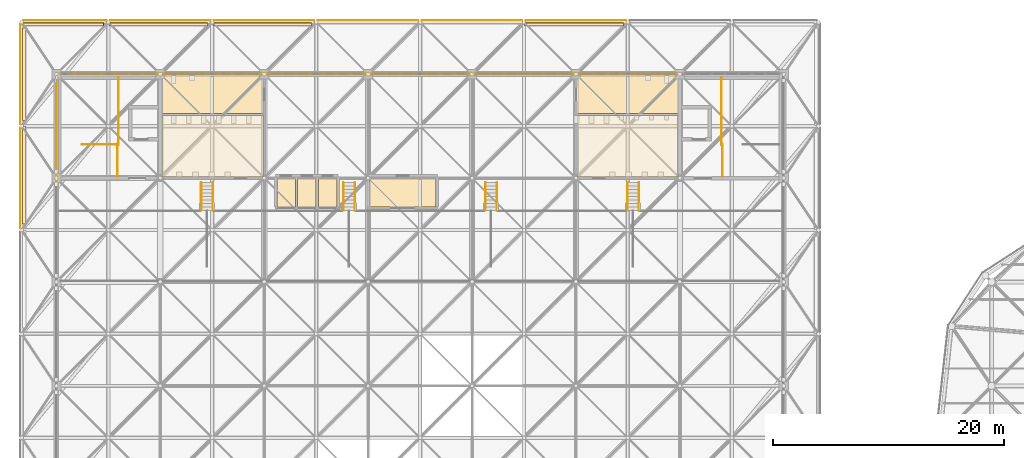
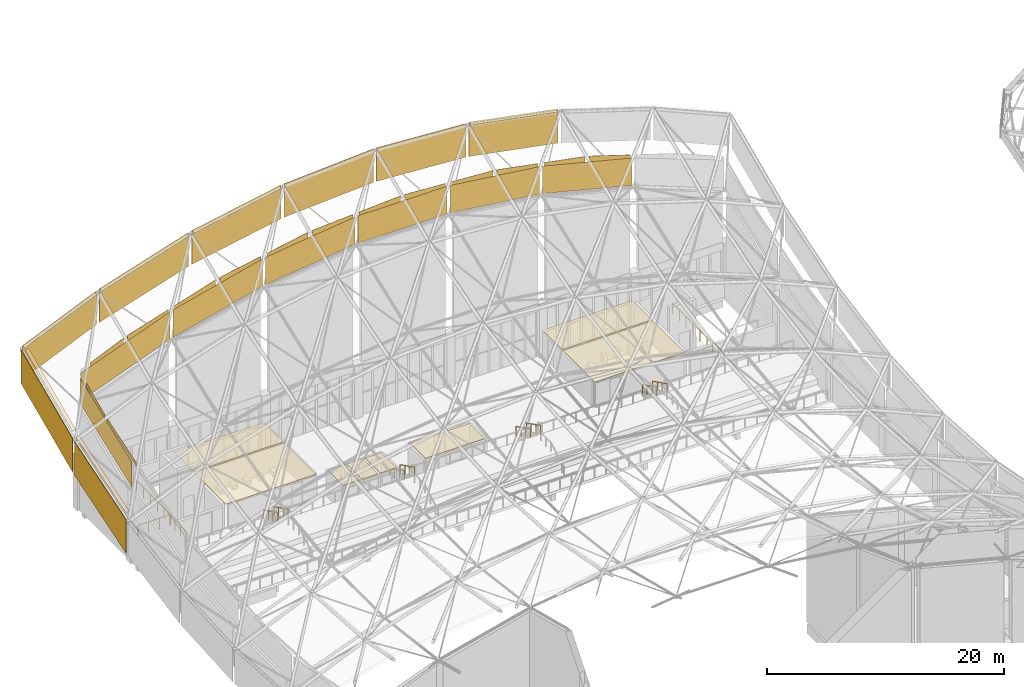
# One storey, part 421 of 437: 43 coverings, 13 railings.
"""IFC4 building model written with IfcOpenShell, lengths in metres."""

from ifc_helpers import new_model, si_unit, direction, frame, origin, origin_2d, place, context, subcontext, project, spatial, polyline, circle, outline, extrude, material, layer, layer_set, constituent, constituent_set, type_object, element, save


model = new_model("IFC4")

# Units and contexts
model_context = context("Model", 3, precision=1e-05, world=origin(), true_north=direction((0.0, 1.0)))
body_context = subcontext(model_context, "Body", "Model", "MODEL_VIEW")
ifc_project = project(units=[si_unit("LENGTHUNIT", "METRE"), si_unit("AREAUNIT", "SQUARE_METRE"), si_unit("VOLUMEUNIT", "CUBIC_METRE"), si_unit("PLANEANGLEUNIT", "RADIAN"), si_unit("MASSUNIT", "GRAM", prefix="KILO")], contexts=[model_context])

# Site, building, storey
site_placement = place(None, origin())
site = spatial("IfcSite", under=ifc_project, at=site_placement, CompositionType="ELEMENT")
building_placement = place(site_placement, origin())
building = spatial("IfcBuilding", under=site, at=building_placement, Name="Opaline Strait Convention Centre", CompositionType="ELEMENT")
storey_placement = place(building_placement, frame((0.0, 0.0, 11.5)))
storey = spatial("IfcBuildingStorey", under=building, at=storey_placement, Name="L02", CompositionType="ELEMENT", Elevation=11.5)

# Railings
ifc_material_1 = material(Name="Stainless steel 304", Category="steel")
railing_type_1 = type_object("IfcRailingType", Name="Aisle handrail 900", PredefinedType="HANDRAIL", material=ifc_material_1)
for number, where, name in (
    (1, (21.550048828125, 170.60009765625, 0.151611328125), "PHR1 Upper Circle entry stair 1 handrail"),
    (2, (22.550048828125, 170.60009765625, 0.151611328125), "PHR1 Upper Circle entry stair 1 handrail"),
    (3, (33.85009765625, 170.60009765625, 0.151611328125), "PHR1 Upper Circle entry stair 2 handrail"),
    (4, (34.85009765625, 170.60009765625, 0.151611328125), "PHR1 Upper Circle entry stair 2 handrail"),
    (5, (46.14990234375, 170.60009765625, 0.151611328125), "PHR1 Upper Circle entry stair 3 handrail"),
    (6, (47.14990234375, 170.60009765625, 0.151611328125), "PHR1 Upper Circle entry stair 3 handrail"),
    (7, (58.449951171875, 170.60009765625, 0.151611328125), "PHR1 Upper Circle entry stair 4 handrail"),
    (8, (59.449951171875, 170.60009765625, 0.151611328125), "PHR1 Upper Circle entry stair 4 handrail"),
):
    element("IfcRailing", number, at=place(storey_placement, frame(where)), inside=storey, type_object=railing_type_1, Name=name, PredefinedType="HANDRAIL", context=body_context, shape_type="SweptSolid", body=[
        extrude(circle(Radius=0.02392578125, at=origin_2d()), frame((0.0, 0.0, 0.8759765625), z_axis=(0.0, -0.892585651762, 0.45087787068), x_axis=(1.0, 0.0, 0.0)), (0.0, 0.0, 1.0), 2.68896484375),
        extrude(circle(Radius=0.02099609375, at=origin_2d()), origin(), (0.0, 0.0, 1.0), 0.851806640625),
        extrude(circle(Radius=0.02099609375, at=origin_2d()), frame((0.0, -0.800048828125, 0.404052734375)), (0.0, 0.0, 1.0), 0.851806640625),
        extrude(circle(Radius=0.02099609375, at=origin_2d()), frame((0.0, -1.60009765625, 0.808349609375)), (0.0, 0.0, 1.0), 0.851806640625),
        extrude(circle(Radius=0.02099609375, at=origin_2d()), frame((0.0, -2.400146484375, 1.21240234375)), (0.0, 0.0, 1.0), 0.851806640625),
    ])

# Coverings
ifc_material_2 = material(Name="Gypsum plasterboard ceiling lining")
ifc_layer_1 = layer(ifc_material_2, 0.050048828125)
ifc_layer_set_1 = layer_set([ifc_layer_1], Name="Gypsum plasterboard ceiling lining")
covering_type_1 = type_object("IfcCoveringType", Name="Ceiling lining 50", PredefinedType="CEILING", material=ifc_layer_set_1)
covering_1_placement = place(storey_placement, frame((0.0, 0.0, 2.5)))
element("IfcCovering", 9, at=covering_1_placement, inside=storey, type_object=covering_type_1, Name="PCL L02 ceiling WW", PredefinedType="CEILING", context=body_context, shape_type="SweptSolid", body=[
    extrude(outline(polyline([(26.925048828125, 171.074951171875), (26.925048828125, 176.425048828125), (18.14990234375, 176.425048828125), (18.14990234375, 171.074951171875), (26.925048828125, 171.074951171875)])), origin(), (0.0, 0.0, 1.0), 0.050048828125),
])
covering_2_placement = place(storey_placement, frame((0.0, 0.0, 2.5)))
element("IfcCovering", 10, at=covering_2_placement, inside=storey, type_object=covering_type_1, Name="PCL L02 ceiling WA", PredefinedType="CEILING", context=body_context, shape_type="SweptSolid", body=[
    extrude(outline(polyline([(26.925048828125, 176.574951171875), (26.925048828125, 179.89990234375), (18.14990234375, 179.89990234375), (18.14990234375, 176.574951171875), (26.925048828125, 176.574951171875)])), origin(), (0.0, 0.0, 1.0), 0.050048828125),
])
covering_3_placement = place(storey_placement, frame((0.0, 0.0, 2.5)))
element("IfcCovering", 11, at=covering_3_placement, inside=storey, type_object=covering_type_1, Name="PCL L02 ceiling EW", PredefinedType="CEILING", context=body_context, shape_type="SweptSolid", body=[
    extrude(outline(polyline([(62.85009765625, 171.074951171875), (62.85009765625, 176.425048828125), (54.074951171875, 176.425048828125), (54.074951171875, 171.074951171875), (62.85009765625, 171.074951171875)])), origin(), (0.0, 0.0, 1.0), 0.050048828125),
])
covering_4_placement = place(storey_placement, frame((0.0, 0.0, 2.5)))
element("IfcCovering", 12, at=covering_4_placement, inside=storey, type_object=covering_type_1, Name="PCL L02 ceiling EA", PredefinedType="CEILING", context=body_context, shape_type="SweptSolid", body=[
    extrude(outline(polyline([(62.85009765625, 176.574951171875), (62.85009765625, 179.89990234375), (54.074951171875, 179.89990234375), (54.074951171875, 176.574951171875), (62.85009765625, 176.574951171875)])), origin(), (0.0, 0.0, 1.0), 0.050048828125),
])
covering_5_placement = place(storey_placement, frame((0.0, 0.0, 2.5)))
element("IfcCovering", 13, at=covering_5_placement, inside=storey, type_object=covering_type_1, Name="PCL L02 ceiling B1", PredefinedType="CEILING", context=body_context, shape_type="SweptSolid", body=[
    extrude(outline(polyline([(29.699951171875, 168.5), (29.699951171875, 171.10009765625), (28.10009765625, 171.10009765625), (28.10009765625, 168.5), (29.699951171875, 168.5)])), origin(), (0.0, 0.0, 1.0), 0.050048828125),
])
covering_6_placement = place(storey_placement, frame((0.0, 0.0, 2.5)))
element("IfcCovering", 14, at=covering_6_placement, inside=storey, type_object=covering_type_1, Name="PCL L02 ceiling B2", PredefinedType="CEILING", context=body_context, shape_type="SweptSolid", body=[
    extrude(outline(polyline([(31.5, 168.5), (31.5, 171.10009765625), (29.89990234375, 171.10009765625), (29.89990234375, 168.5), (31.5, 168.5)])), origin(), (0.0, 0.0, 1.0), 0.050048828125),
])
covering_7_placement = place(storey_placement, frame((0.0, 0.0, 2.5)))
element("IfcCovering", 15, at=covering_7_placement, inside=storey, type_object=covering_type_1, Name="PCL L02 ceiling B3", PredefinedType="CEILING", context=body_context, shape_type="SweptSolid", body=[
    extrude(outline(polyline([(33.300048828125, 168.5), (33.300048828125, 171.10009765625), (31.699951171875, 171.10009765625), (31.699951171875, 168.5), (33.300048828125, 168.5)])), origin(), (0.0, 0.0, 1.0), 0.050048828125),
])
covering_8_placement = place(storey_placement, frame((0.0, 0.0, 2.5)))
element("IfcCovering", 16, at=covering_8_placement, inside=storey, type_object=covering_type_1, Name="PCL L02 ceiling CT", PredefinedType="CEILING", context=body_context, shape_type="SweptSolid", body=[
    extrude(outline(polyline([(41.89990234375, 168.5), (41.89990234375, 171.10009765625), (36.10009765625, 171.10009765625), (36.10009765625, 168.5), (41.89990234375, 168.5)])), origin(), (0.0, 0.0, 1.0), 0.050048828125),
])

# Railings
ifc_material_3 = material(Name="Steel Q355B", Category="steel")
ifc_constituent_1 = constituent(ifc_material_3, Name="Frame")
ifc_material_4 = material(Name="Safety glass, bonded interlayer", Category="glass")
ifc_constituent_2 = constituent(ifc_material_4, Name="Infill")
ifc_constituent_set = constituent_set(constituents=[ifc_constituent_1, ifc_constituent_2], Name="Steel Q355B, Safety glass, bonded interlayer")
railing_type_2 = type_object("IfcRailingType", Name="Seating guard 1100 steel and glass", PredefinedType="GUARDRAIL", material=ifc_constituent_set)
railing_1_placement = place(storey_placement, frame((14.35009765625, 173.89990234375, 0.0)))
element("IfcRailing", 17, at=railing_1_placement, inside=storey, type_object=railing_type_2, Name="L02 PSR3 top well guard 1", PredefinedType="GUARDRAIL", context=body_context, shape_type="SweptSolid", body=[
    extrude(circle(Radius=0.02392578125, at=origin_2d()), frame((0.0, 0.0, 1.076171875), z_axis=(-1.0, 0.0, 0.0), x_axis=(0.0, -1.0, 0.0)), (0.0, 0.0, 1.0), 3.150146484375),
    extrude(circle(Radius=0.02099609375, at=origin_2d()), origin(), (0.0, 0.0, 1.0), 1.052001953125),
    extrude(circle(Radius=0.02099609375, at=origin_2d()), frame((-1.050048828125, 0.0, 0.0)), (0.0, 0.0, 1.0), 1.052001953125),
    extrude(circle(Radius=0.02099609375, at=origin_2d()), frame((-2.10009765625, 0.0, 0.0)), (0.0, 0.0, 1.0), 1.052001953125),
    extrude(circle(Radius=0.02099609375, at=origin_2d()), frame((-3.150146484375, 0.0, 0.0)), (0.0, 0.0, 1.0), 1.052001953125),
])
railing_2_placement = place(storey_placement, frame((14.39990234375, 173.85009765625, 0.0)))
element("IfcRailing", 18, at=railing_2_placement, inside=storey, type_object=railing_type_2, Name="L02 PSR3 top well guard 2", PredefinedType="GUARDRAIL", context=body_context, shape_type="SweptSolid", body=[
    extrude(circle(Radius=0.02392578125, at=origin_2d()), frame((0.0, 0.0, 1.076171875), z_axis=(0.0, 1.0, 0.0), x_axis=(-1.0, 0.0, 0.0)), (0.0, 0.0, 1.0), 5.7998046875),
    extrude(circle(Radius=0.02099609375, at=origin_2d()), origin(), (0.0, 0.0, 1.0), 1.052001953125),
    extrude(circle(Radius=0.02099609375, at=origin_2d()), frame((0.0, 1.159912109375, 0.0)), (0.0, 0.0, 1.0), 1.052001953125),
    extrude(circle(Radius=0.02099609375, at=origin_2d()), frame((0.0, 2.31982421875, 0.0)), (0.0, 0.0, 1.0), 1.052001953125),
    extrude(circle(Radius=0.02099609375, at=origin_2d()), frame((0.0, 3.47998046875, 0.0)), (0.0, 0.0, 1.0), 1.052001953125),
    extrude(circle(Radius=0.02099609375, at=origin_2d()), frame((0.0, 4.639892578125, 0.0)), (0.0, 0.0, 1.0), 1.052001953125),
    extrude(circle(Radius=0.02099609375, at=origin_2d()), frame((0.0, 5.7998046875, 0.0)), (0.0, 0.0, 1.0), 1.052001953125),
])
railing_3_placement = place(storey_placement, frame((14.300048828125, 171.14990234375, 0.0)))
element("IfcRailing", 19, at=railing_3_placement, inside=storey, type_object=railing_type_2, Name="L02 PSR3 top well guard 3", PredefinedType="GUARDRAIL", context=body_context, shape_type="SweptSolid", body=[
    extrude(circle(Radius=0.02392578125, at=origin_2d()), frame((0.0, 0.0, 1.076171875), z_axis=(0.0, 1.0, 0.0), x_axis=(-1.0, 0.0, 0.0)), (0.0, 0.0, 1.0), 2.800048828125),
    extrude(circle(Radius=0.02099609375, at=origin_2d()), origin(), (0.0, 0.0, 1.0), 1.052001953125),
    extrude(circle(Radius=0.02099609375, at=origin_2d()), frame((0.0, 0.933349609375, 0.0)), (0.0, 0.0, 1.0), 1.052001953125),
    extrude(circle(Radius=0.02099609375, at=origin_2d()), frame((0.0, 1.86669921875, 0.0)), (0.0, 0.0, 1.0), 1.052001953125),
    extrude(circle(Radius=0.02099609375, at=origin_2d()), frame((0.0, 2.800048828125, 0.0)), (0.0, 0.0, 1.0), 1.052001953125),
])
railing_4_placement = place(storey_placement, frame((66.60009765625, 173.85009765625, 0.0)))
element("IfcRailing", 20, at=railing_4_placement, inside=storey, type_object=railing_type_2, Name="L02 PSR4 top well guard 2", PredefinedType="GUARDRAIL", context=body_context, shape_type="SweptSolid", body=[
    extrude(circle(Radius=0.02392578125, at=origin_2d()), frame((0.0, 0.0, 1.076171875), z_axis=(0.0, 1.0, 0.0), x_axis=(-1.0, 0.0, 0.0)), (0.0, 0.0, 1.0), 5.7998046875),
    extrude(circle(Radius=0.02099609375, at=origin_2d()), origin(), (0.0, 0.0, 1.0), 1.052001953125),
    extrude(circle(Radius=0.02099609375, at=origin_2d()), frame((0.0, 1.159912109375, 0.0)), (0.0, 0.0, 1.0), 1.052001953125),
    extrude(circle(Radius=0.02099609375, at=origin_2d()), frame((0.0, 2.31982421875, 0.0)), (0.0, 0.0, 1.0), 1.052001953125),
    extrude(circle(Radius=0.02099609375, at=origin_2d()), frame((0.0, 3.47998046875, 0.0)), (0.0, 0.0, 1.0), 1.052001953125),
    extrude(circle(Radius=0.02099609375, at=origin_2d()), frame((0.0, 4.639892578125, 0.0)), (0.0, 0.0, 1.0), 1.052001953125),
    extrude(circle(Radius=0.02099609375, at=origin_2d()), frame((0.0, 5.7998046875, 0.0)), (0.0, 0.0, 1.0), 1.052001953125),
])
railing_5_placement = place(storey_placement, frame((66.699951171875, 171.14990234375, 0.0)))
element("IfcRailing", 21, at=railing_5_placement, inside=storey, type_object=railing_type_2, Name="L02 PSR4 top well guard 3", PredefinedType="GUARDRAIL", context=body_context, shape_type="SweptSolid", body=[
    extrude(circle(Radius=0.02392578125, at=origin_2d()), frame((0.0, 0.0, 1.076171875), z_axis=(0.0, 1.0, 0.0), x_axis=(-1.0, 0.0, 0.0)), (0.0, 0.0, 1.0), 2.800048828125),
    extrude(circle(Radius=0.02099609375, at=origin_2d()), origin(), (0.0, 0.0, 1.0), 1.052001953125),
    extrude(circle(Radius=0.02099609375, at=origin_2d()), frame((0.0, 0.933349609375, 0.0)), (0.0, 0.0, 1.0), 1.052001953125),
    extrude(circle(Radius=0.02099609375, at=origin_2d()), frame((0.0, 1.86669921875, 0.0)), (0.0, 0.0, 1.0), 1.052001953125),
    extrude(circle(Radius=0.02099609375, at=origin_2d()), frame((0.0, 2.800048828125, 0.0)), (0.0, 0.0, 1.0), 1.052001953125),
])

# Coverings
ifc_material_5 = material(Name="Standing seam aluminium edge flashing, white", Category="aluminium")
ifc_layer_2 = layer(ifc_material_5, 0.030029296875)
ifc_layer_set_2 = layer_set([ifc_layer_2], Name="Standing seam aluminium edge flashing, white")
covering_type_2 = type_object("IfcCoveringType", Name="Shell edge flashing 30", PredefinedType="ROOFING", material=ifc_layer_set_2)
covering_9_placement = place(storey_placement, frame((6.050048828125, 167.0, 8.330322265625), z_axis=(-0.382313646197, -0.279590235399, 0.880718783836), x_axis=(0.91729063328, 9.1880818e-05, 0.398218389398)))
element("IfcCovering", 22, at=covering_9_placement, inside=storey, type_object=covering_type_2, Name="PEF1 edge flashing 13", PredefinedType="ROOFING", context=body_context, shape_type="SweptSolid", body=[
    extrude(outline(polyline([(0.0, 0.0), (0.32714814654287633, -6.938893903907228e-18), (1.3960948094551147, 8.800804110418754), (1.0690438841987124, 8.800866715491214), (0.0, 0.0)])), origin(), (0.0, 0.0, -1.0), 0.030029296875),
])
covering_10_placement = place(storey_placement, frame((6.050048828125, 176.0, 11.2607421875), z_axis=(-0.368130721937, -0.377615800828, 0.849638792977), x_axis=(0.917554360053, 0.000119751002, 0.397610339412)))
element("IfcCovering", 23, at=covering_10_placement, inside=storey, type_object=covering_type_2, Name="PEF1 edge flashing 15", PredefinedType="ROOFING", context=body_context, shape_type="SweptSolid", body=[
    extrude(outline(polyline([(0.0, 0.0), (0.3270509324735842, 6.938893903907228e-18), (1.7416806623791201, 8.639434792703517), (1.4147268027423063, 8.639519372522964), (0.0, 0.0)])), origin(), (0.0, 0.0, -1.0), 0.030029296875),
])
covering_11_placement = place(storey_placement, frame((6.050048828125, 184.14990234375, 14.8828125), z_axis=(-0.36852844959, -0.377713318773, 0.849422998667), x_axis=(0.917379312957, 5.096251e-06, 0.398014065245)))
element("IfcCovering", 24, at=covering_11_placement, inside=storey, type_object=covering_type_2, Name="PEF1 edge flashing 18", PredefinedType="ROOFING", context=body_context, shape_type="SweptSolid", body=[
    extrude(outline(polyline([(0.0, 0.0), (7.685029454030635, 2.220446049250313e-16), (7.738086569000447, 0.324011310513459), (0.05315428637245918, 0.32409590634030366), (0.0, 0.0)])), origin(), (0.0, 0.0, -1.0), 0.030029296875),
])
covering_12_placement = place(storey_placement, frame((13.550048828125, 184.14990234375, 18.122314453125), z_axis=(-0.278634448773, -0.389921733048, 0.877680970543), x_axis=(0.953122522929, 0.0, 0.30258462665)))
element("IfcCovering", 25, at=covering_12_placement, inside=storey, type_object=covering_type_2, Name="PEF1 edge flashing 20", PredefinedType="ROOFING", context=body_context, shape_type="SweptSolid", body=[
    extrude(outline(polyline([(0.0, 0.0), (8.970566346338158, 0.0), (9.010901113464906, 0.32583969080189923), (0.0403347671267472, 0.3258396908018991), (0.0, 0.0)])), origin(), (0.0, 0.0, -1.0), 0.030029296875),
])
covering_13_placement = place(storey_placement, frame((22.550048828125, 184.14990234375, 20.966552734375), z_axis=(-0.171500559072, -0.399985181635, 0.900332945476), x_axis=(0.982336847785, 0.0, 0.18712113051)))
element("IfcCovering", 26, at=covering_13_placement, inside=storey, type_object=covering_type_2, Name="PEF1 edge flashing 22", PredefinedType="ROOFING", context=body_context, shape_type="SweptSolid", body=[
    extrude(outline(polyline([(0.0, 0.0), (8.703785109355326, 0.0), (8.728728502240637, 0.32737780116008963), (0.024943392885309966, 0.3273778011600897), (0.0, 0.0)])), origin(), (0.0, 0.0, -1.0), 0.030029296875),
])
covering_14_placement = place(storey_placement, frame((49.550048828125, 184.14990234375, 22.661865234375), z_axis=(0.171500559072, -0.399985181635, 0.900332945476), x_axis=(0.982336847785, 0.0, -0.18712113051)))
element("IfcCovering", 27, at=covering_14_placement, inside=storey, type_object=covering_type_2, Name="PEF1 edge flashing 28", PredefinedType="ROOFING", context=body_context, shape_type="SweptSolid", body=[
    extrude(outline(polyline([(0.0, 0.0), (8.703785109355326, 0.0), (8.678841716470016, 0.32737780116008963), (-0.024943392885309966, 0.3273778011600897), (0.0, 0.0)])), origin(), (0.0, 0.0, -1.0), 0.030029296875),
])
ifc_material_6 = material(Name="Aluminium composite cladding panel, white", Category="aluminium")
ifc_layer_3 = layer(ifc_material_6, 0.0400390625)
ifc_layer_set_3 = layer_set([ifc_layer_3], Name="Aluminium composite cladding panel, white")
covering_type_3 = type_object("IfcCoveringType", Name="Shell edge frieze panel 40", PredefinedType="CLADDING", material=ifc_layer_set_3)
covering_15_placement = place(storey_placement, frame((9.0, 171.14990234375, 10.052490234375), z_axis=(-1.0, 0.0, 0.0), x_axis=(0.0, 0.934493135261, 0.355981151397)))
element("IfcCovering", 28, at=covering_15_placement, inside=storey, type_object=covering_type_3, Name="PFR1 frieze panel W 7", PredefinedType="CLADDING", context=body_context, shape_type="SweptSolid", body=[
    extrude(outline(polyline([(0.0, 0.0), (9.310068725189893, 0.0), (8.387350979980374, 2.4222445354170468), (-0.9228046546703089, 2.4224726831551475), (0.0, 0.0)])), origin(), (0.0, 0.0, -1.0), 0.0400390625),
])
covering_16_placement = place(storey_placement, frame((9.0, 170.39990234375, 10.425537109375), z_axis=(-1.0, 0.0, 0.0), x_axis=(0.0, 0.953120788943, 0.302590088543)))
element("IfcCovering", 29, at=covering_16_placement, inside=storey, type_object=covering_type_3, Name="PFR1 frieze strip W 13", PredefinedType="CLADDING", context=body_context, shape_type="SweptSolid", body=[
    extrude(outline(polyline([(0.0, 0.0), (5.141160009539353, 0.0), (5.039804149802797, 0.31925823301512946), (-0.10135585973655543, 0.3192582330151293), (0.0, 0.0)])), origin(), (0.0, 0.0, -1.0), 0.0400390625),
])
covering_17_placement = place(storey_placement, frame((9.0, 175.699951171875, 12.133544921875), z_axis=(-1.0, 0.0, 0.0), x_axis=(0.0, 0.913826386395, 0.406105079416)))
element("IfcCovering", 30, at=covering_17_placement, inside=storey, type_object=covering_type_3, Name="PFR1 frieze strip W 14", PredefinedType="CLADDING", context=body_context, shape_type="SweptSolid", body=[
    extrude(outline(polyline([(0.0, 0.0), (3.3924361371078176, 0.0), (3.2564067989830114, 0.3060961430992002), (-0.13602933812480603, 0.3060961430992003), (0.0, 0.0)])), origin(), (0.0, 0.0, -1.0), 0.0400390625),
])
covering_18_placement = place(storey_placement, frame((9.14990234375, 180.0, 10.90771484375), z_axis=(0.0, -1.0, 0.0), x_axis=(0.934493135261, 0.0, 0.355981151397)))
element("IfcCovering", 31, at=covering_18_placement, inside=storey, type_object=covering_type_3, Name="PFR1 frieze band N 1", PredefinedType="CLADDING", context=body_context, shape_type="SweptSolid", body=[
    extrude(outline(polyline([(0.0, 0.0), (9.310068725189893, 0.0), (10.314133725699035, 2.635790818279471), (1.0204039791376998, 2.6786825930424363), (0.0, 0.0)])), origin(), (0.0, 0.0, -1.0), 0.0400390625),
])
covering_19_placement = place(storey_placement, frame((10.050048828125, 180.0, 14.1123046875), z_axis=(0.0, -1.0, 0.0), x_axis=(0.936144087686, 0.0, 0.351616619474)))
element("IfcCovering", 32, at=covering_19_placement, inside=storey, type_object=covering_type_3, Name="PFR1 frieze closure N 12", PredefinedType="CLADDING", context=body_context, shape_type="SweptSolid", body=[
    extrude(outline(polyline([(0.0, 0.0), (3.4716877911737347, 0.0), (3.6746227737019086, 0.5402940974830106), (0.13640595906821854, 0.36316722542322505), (0.0, 0.0)])), origin(), (0.0, 0.0, -1.0), 0.0400390625),
])
covering_20_placement = place(storey_placement, frame((13.699951171875, 180.0, 15.4833984375), z_axis=(0.0, -1.0, 0.0), x_axis=(0.936122385256, 0.0, 0.351674394608)))
element("IfcCovering", 33, at=covering_20_placement, inside=storey, type_object=covering_type_3, Name="PFR1 frieze closure N 13", PredefinedType="CLADDING", context=body_context, shape_type="SweptSolid", body=[
    extrude(outline(polyline([(0.0, 0.0), (4.272945571006845, 0.0), (4.3940053601661955, 0.3222491609401765), (0.20296832735652692, 0.540281571959275), (0.0, 0.0)])), origin(), (0.0, 0.0, -1.0), 0.0400390625),
])
covering_21_placement = place(storey_placement, frame((18.14990234375, 180.0, 14.31201171875), z_axis=(0.0, -1.0, 0.0), x_axis=(0.969233447146, 0.0, 0.246143301624)))
element("IfcCovering", 34, at=covering_21_placement, inside=storey, type_object=covering_type_3, Name="PFR1 frieze band N 2", PredefinedType="CLADDING", context=body_context, shape_type="SweptSolid", body=[
    extrude(outline(polyline([(0.0, 0.0), (8.976367188031215, 0.0), (9.671890277141186, 2.738747050113033), (0.6955230891099715, 2.7387470501130324), (0.0, 0.0)])), origin(), (0.0, 0.0, -1.0), 0.0400390625),
])
covering_22_placement = place(storey_placement, frame((18.300048828125, 180.0, 17.17578125), z_axis=(0.0, -1.0, 0.0), x_axis=(0.969230993258, 0.0, 0.246152964047)))
element("IfcCovering", 35, at=covering_22_placement, inside=storey, type_object=covering_type_3, Name="PFR1 frieze closure N 21", PredefinedType="CLADDING", context=body_context, shape_type="SweptSolid", body=[
    extrude(outline(polyline([(0.0, 0.0), (4.126983173078632, 0.0), (4.274458606128218, 0.5806867327768335), (0.08491556108356313, 0.3343562972345826), (0.0, 0.0)])), origin(), (0.0, 0.0, -1.0), 0.0400390625),
])
covering_23_placement = place(storey_placement, frame((22.699951171875, 180.0, 18.293212890625), z_axis=(0.0, -1.0, 0.0), x_axis=(0.969230993258, 0.0, 0.246152964047)))
element("IfcCovering", 36, at=covering_23_placement, inside=storey, type_object=covering_type_3, Name="PFR1 frieze closure N 22", PredefinedType="CLADDING", context=body_context, shape_type="SweptSolid", body=[
    extrude(outline(polyline([(0.0, 0.0), (4.126983173078632, 0.0), (4.211898734162196, 0.3343562972345826), (0.14741533711109722, 0.5804501041163702), (0.0, 0.0)])), origin(), (0.0, 0.0, -1.0), 0.0400390625),
])
covering_24_placement = place(storey_placement, frame((27.14990234375, 180.0, 16.5751953125), z_axis=(0.0, -1.0, 0.0), x_axis=(0.992030967972, 0.0, 0.125994279971)))
element("IfcCovering", 37, at=covering_24_placement, inside=storey, type_object=covering_type_3, Name="PFR1 frieze band N 3", PredefinedType="CLADDING", context=body_context, shape_type="SweptSolid", body=[
    extrude(outline(polyline([(0.0, 0.0), (8.770084395943172, 0.0), (9.126504249952363, 2.806314166476259), (0.3564506143314499, 2.8065563615367983), (0.0, 0.0)])), origin(), (0.0, 0.0, -1.0), 0.0400390625),
])
covering_25_placement = place(storey_placement, frame((27.300048828125, 180.0, 19.42333984375), z_axis=(0.0, -1.0, 0.0), x_axis=(0.992037572197, 0.0, 0.125942269908)))
element("IfcCovering", 38, at=covering_25_placement, inside=storey, type_object=covering_type_3, Name="PFR1 frieze closure N 31", PredefinedType="CLADDING", context=body_context, shape_type="SweptSolid", body=[
    extrude(outline(polyline([(0.0, 0.0), (4.03210534772546, 0.0), (4.10756001822199, 0.5943506352957456), (0.043446393403258836, 0.34222389880720805), (0.0, 0.0)])), origin(), (0.0, 0.0, -1.0), 0.0400390625),
])
covering_26_placement = place(storey_placement, frame((31.699951171875, 180.0, 19.98193359375), z_axis=(0.0, -1.0, 0.0), x_axis=(0.992030005484, 0.0, 0.126001857996)))
element("IfcCovering", 39, at=covering_26_placement, inside=storey, type_object=covering_type_3, Name="PFR1 frieze closure N 32", PredefinedType="CLADDING", context=body_context, shape_type="SweptSolid", body=[
    extrude(outline(polyline([(0.0, 0.0), (4.032136102623913, 1.1102230246251565e-16), (4.075633814344353, 0.34246348333862187), (0.0754903709773389, 0.5943461019186549), (0.0, 0.0)])), origin(), (0.0, 0.0, -1.0), 0.0400390625),
])
covering_27_placement = place(storey_placement, frame((36.14990234375, 180.0, 17.697998046875), z_axis=(0.0, -1.0, 0.0), x_axis=(1.0, 0.0, 0.0)))
element("IfcCovering", 40, at=covering_27_placement, inside=storey, type_object=covering_type_3, Name="PFR1 frieze band N 4", PredefinedType="CLADDING", context=body_context, shape_type="SweptSolid", body=[
    extrude(outline(polyline([(0.0, 0.0), (8.7001953125, 0.0), (8.7001953125, 2.830078125), (0.0, 2.830078125), (0.0, 0.0)])), origin(), (0.0, 0.0, -1.0), 0.0400390625),
])
covering_28_placement = place(storey_placement, frame((36.300048828125, 180.0, 20.528076171875), z_axis=(0.0, -1.0, 0.0), x_axis=(1.0, 0.0, 0.0)))
element("IfcCovering", 41, at=covering_28_placement, inside=storey, type_object=covering_type_3, Name="PFR1 frieze closure N 41", PredefinedType="CLADDING", context=body_context, shape_type="SweptSolid", body=[
    extrude(outline(polyline([(0.0, 0.0), (4.0, 0.0), (4.0, 0.59912109375), (0.0, 0.34521484375), (0.0, 0.0)])), origin(), (0.0, 0.0, -1.0), 0.0400390625),
])
covering_29_placement = place(storey_placement, frame((40.699951171875, 180.0, 20.528076171875), z_axis=(0.0, -1.0, 0.0), x_axis=(1.0, 0.0, 0.0)))
element("IfcCovering", 42, at=covering_29_placement, inside=storey, type_object=covering_type_3, Name="PFR1 frieze closure N 42", PredefinedType="CLADDING", context=body_context, shape_type="SweptSolid", body=[
    extrude(outline(polyline([(0.0, 0.0), (4.0, 0.0), (4.0, 0.34521484375), (0.0, 0.59912109375), (0.0, 0.0)])), origin(), (0.0, 0.0, -1.0), 0.0400390625),
])
covering_30_placement = place(storey_placement, frame((45.14990234375, 180.0, 17.68017578125), z_axis=(0.0, -1.0, 0.0), x_axis=(0.992030967972, 0.0, -0.125994279971)))
element("IfcCovering", 43, at=covering_30_placement, inside=storey, type_object=covering_type_3, Name="PFR1 frieze band N 5", PredefinedType="CLADDING", context=body_context, shape_type="SweptSolid", body=[
    extrude(outline(polyline([(0.0, 0.0), (8.770084395943172, 0.0), (8.413633781611724, 2.8065563615367983), (-0.35641985400919146, 2.8063141664762585), (0.0, 0.0)])), origin(), (0.0, 0.0, -1.0), 0.0400390625),
])
covering_31_placement = place(storey_placement, frame((45.300048828125, 180.0, 20.489990234375), z_axis=(0.0, -1.0, 0.0), x_axis=(0.992030005484, 0.0, -0.126001857996)))
element("IfcCovering", 44, at=covering_31_placement, inside=storey, type_object=covering_type_3, Name="PFR1 frieze closure N 51", PredefinedType="CLADDING", context=body_context, shape_type="SweptSolid", body=[
    extrude(outline(polyline([(0.0, 0.0), (4.032136102623913, -1.1102230246251565e-16), (3.9566457316465744, 0.5943461019186548), (-0.04349771172043896, 0.3424634833386218), (0.0, 0.0)])), origin(), (0.0, 0.0, -1.0), 0.0400390625),
])
covering_32_placement = place(storey_placement, frame((49.699951171875, 180.0, 19.93115234375), z_axis=(0.0, -1.0, 0.0), x_axis=(0.992037572197, 0.0, -0.125942269908)))
element("IfcCovering", 45, at=covering_32_placement, inside=storey, type_object=covering_type_3, Name="PFR1 frieze closure N 52", PredefinedType="CLADDING", context=body_context, shape_type="SweptSolid", body=[
    extrude(outline(polyline([(0.0, 0.0), (4.03210534772546, 0.0), (3.988658954322201, 0.34222389880720805), (-0.07545467049653021, 0.5943506352957456), (0.0, 0.0)])), origin(), (0.0, 0.0, -1.0), 0.0400390625),
])
covering_33_placement = place(storey_placement, frame((54.14990234375, 180.0, 16.521484375), z_axis=(0.0, -1.0, 0.0), x_axis=(0.969233447146, 0.0, -0.246143301624)))
element("IfcCovering", 46, at=covering_33_placement, inside=storey, type_object=covering_type_3, Name="PFR1 frieze band N 6", PredefinedType="CLADDING", context=body_context, shape_type="SweptSolid", body=[
    extrude(outline(polyline([(0.0, 0.0), (8.976367188031215, 0.0), (8.280844098921243, 2.738747050113033), (-0.6955230891099715, 2.7387470501130324), (0.0, 0.0)])), origin(), (0.0, 0.0, -1.0), 0.0400390625),
])
covering_34_placement = place(storey_placement, frame((54.300048828125, 180.0, 19.30908203125), z_axis=(0.0, -1.0, 0.0), x_axis=(0.969230993258, 0.0, -0.246152964047)))
element("IfcCovering", 47, at=covering_34_placement, inside=storey, type_object=covering_type_3, Name="PFR1 frieze closure N 61", PredefinedType="CLADDING", context=body_context, shape_type="SweptSolid", body=[
    extrude(outline(polyline([(0.0, 0.0), (4.126983173078632, 0.0), (3.9795678359675355, 0.5804501041163703), (-0.08491556108356313, 0.3343562972345826), (0.0, 0.0)])), origin(), (0.0, 0.0, -1.0), 0.0400390625),
])
covering_35_placement = place(storey_placement, frame((58.699951171875, 180.0, 18.191650390625), z_axis=(0.0, -1.0, 0.0), x_axis=(0.969230993258, 0.0, -0.246152964047)))
element("IfcCovering", 48, at=covering_35_placement, inside=storey, type_object=covering_type_3, Name="PFR1 frieze closure N 62", PredefinedType="CLADDING", context=body_context, shape_type="SweptSolid", body=[
    extrude(outline(polyline([(0.0, 0.0), (4.126983173078632, 0.0), (4.042067611995069, 0.3343562972345826), (-0.14747543304958521, 0.5806867327768335), (0.0, 0.0)])), origin(), (0.0, 0.0, -1.0), 0.0400390625),
])
covering_36_placement = place(storey_placement, frame((5.8505859375, 166.64990234375, 7.924560546875), z_axis=(-1.0, 0.0, 0.0), x_axis=(0.0, 0.953132102782, 0.302554449059)))
element("IfcCovering", 49, at=covering_36_placement, inside=storey, type_object=covering_type_3, Name="PFR1 fascia panel W 7", PredefinedType="CLADDING", context=body_context, shape_type="SweptSolid", body=[
    extrude(outline(polyline([(0.0, 0.0), (9.128005747683803, 0.0), (8.081991696627206, 3.295240162964365), (-1.0460879168888868, 3.2954728612316457), (0.0, 0.0)])), origin(), (0.0, 0.0, -1.0), 0.0400390625),
])
covering_37_placement = place(storey_placement, frame((5.8505859375, 175.64990234375, 10.80078125), z_axis=(-1.0, 0.0, 0.0), x_axis=(0.0, 0.913813663494, 0.406133707555)))
element("IfcCovering", 50, at=covering_37_placement, inside=storey, type_object=covering_type_3, Name="PFR1 fascia panel W 8", PredefinedType="CLADDING", context=body_context, shape_type="SweptSolid", body=[
    extrude(outline(polyline([(0.0, 0.0), (9.5207542413366, 4.440892098500626e-16), (8.116539015167673, 3.159528589452954), (-1.404215226168927, 3.1595285894529535), (0.0, 0.0)])), origin(), (0.0, 0.0, -1.0), 0.0400390625),
])
covering_38_placement = place(storey_placement, frame((6.14990234375, 184.6494140625, 11.35888671875), z_axis=(0.0, -1.0, 0.0), x_axis=(0.917383800951, 0.0, 0.398003720777)))
element("IfcCovering", 51, at=covering_38_placement, inside=storey, type_object=covering_type_3, Name="PFR1 fascia panel N 1", PredefinedType="CLADDING", context=body_context, shape_type="SweptSolid", body=[
    extrude(outline(polyline([(0.0, 0.0), (7.848618326414646, 0.0), (9.217824974235654, 3.155970492968906), (1.3692066478210076, 3.155970492968906), (0.0, 0.0)])), origin(), (0.0, 0.0, -1.0), 0.0400390625),
])
covering_39_placement = place(storey_placement, frame((13.64990234375, 184.6494140625, 14.596923828125), z_axis=(0.0, -1.0, 0.0), x_axis=(0.95312438958, 0.0, 0.302578746754)))
element("IfcCovering", 52, at=covering_39_placement, inside=storey, type_object=covering_type_3, Name="PFR1 fascia panel N 2", PredefinedType="CLADDING", context=body_context, shape_type="SweptSolid", body=[
    extrude(outline(polyline([(0.0, 0.0), (9.128079616482133, 0.0), (10.16856341727039, 3.27752857110319), (1.0404838007882586, 3.2775285711031894), (0.0, 0.0)])), origin(), (0.0, 0.0, -1.0), 0.0400390625),
])
covering_40_placement = place(storey_placement, frame((22.64990234375, 184.6494140625, 17.43505859375), z_axis=(0.0, -1.0, 0.0), x_axis=(0.982337601302, 0.0, 0.187117174701)))
element("IfcCovering", 53, at=covering_40_placement, inside=storey, type_object=covering_type_3, Name="PFR1 fascia panel N 3", PredefinedType="CLADDING", context=body_context, shape_type="SweptSolid", body=[
    extrude(outline(polyline([(0.0, 0.0), (8.85662454635526, 0.0), (9.500068248909255, 3.3779846470557118), (0.6434437025539951, 3.3779846470557113), (0.0, 0.0)])), origin(), (0.0, 0.0, -1.0), 0.0400390625),
])
covering_41_placement = place(storey_placement, frame((31.64990234375, 184.6494140625, 19.13037109375), z_axis=(0.0, -1.0, 0.0), x_axis=(0.997991520688, 0.0, 0.063347649001)))
element("IfcCovering", 54, at=covering_41_placement, inside=storey, type_object=covering_type_3, Name="PFR1 fascia panel N 4", PredefinedType="CLADDING", context=body_context, shape_type="SweptSolid", body=[
    extrude(outline(polyline([(0.0, 0.0), (8.717704641917452, 0.0), (8.93553951403126, 3.431814103734591), (0.21783487211380756, 3.4318141037345913), (0.0, 0.0)])), origin(), (0.0, 0.0, -1.0), 0.0400390625),
])
covering_42_placement = place(storey_placement, frame((40.64990234375, 184.6494140625, 19.6826171875), z_axis=(0.0, -1.0, 0.0), x_axis=(0.997991520688, 0.0, -0.063347649001)))
element("IfcCovering", 55, at=covering_42_placement, inside=storey, type_object=covering_type_3, Name="PFR1 fascia panel N 5", PredefinedType="CLADDING", context=body_context, shape_type="SweptSolid", body=[
    extrude(outline(polyline([(0.0, 0.0), (8.717704641917452, 0.0), (8.499869769803645, 3.431814103734591), (-0.21783487211380756, 3.4318141037345913), (0.0, 0.0)])), origin(), (0.0, 0.0, -1.0), 0.0400390625),
])
covering_43_placement = place(storey_placement, frame((49.64990234375, 184.6494140625, 19.09228515625), z_axis=(0.0, -1.0, 0.0), x_axis=(0.982337601302, 0.0, -0.187117174701)))
element("IfcCovering", 56, at=covering_43_placement, inside=storey, type_object=covering_type_3, Name="PFR1 fascia panel N 6", PredefinedType="CLADDING", context=body_context, shape_type="SweptSolid", body=[
    extrude(outline(polyline([(0.0, 0.0), (8.85662454635526, 0.0), (8.213180843801265, 3.3779846470557118), (-0.6434437025539951, 3.3779846470557113), (0.0, 0.0)])), origin(), (0.0, 0.0, -1.0), 0.0400390625),
])

save(model, "model.ifc")
